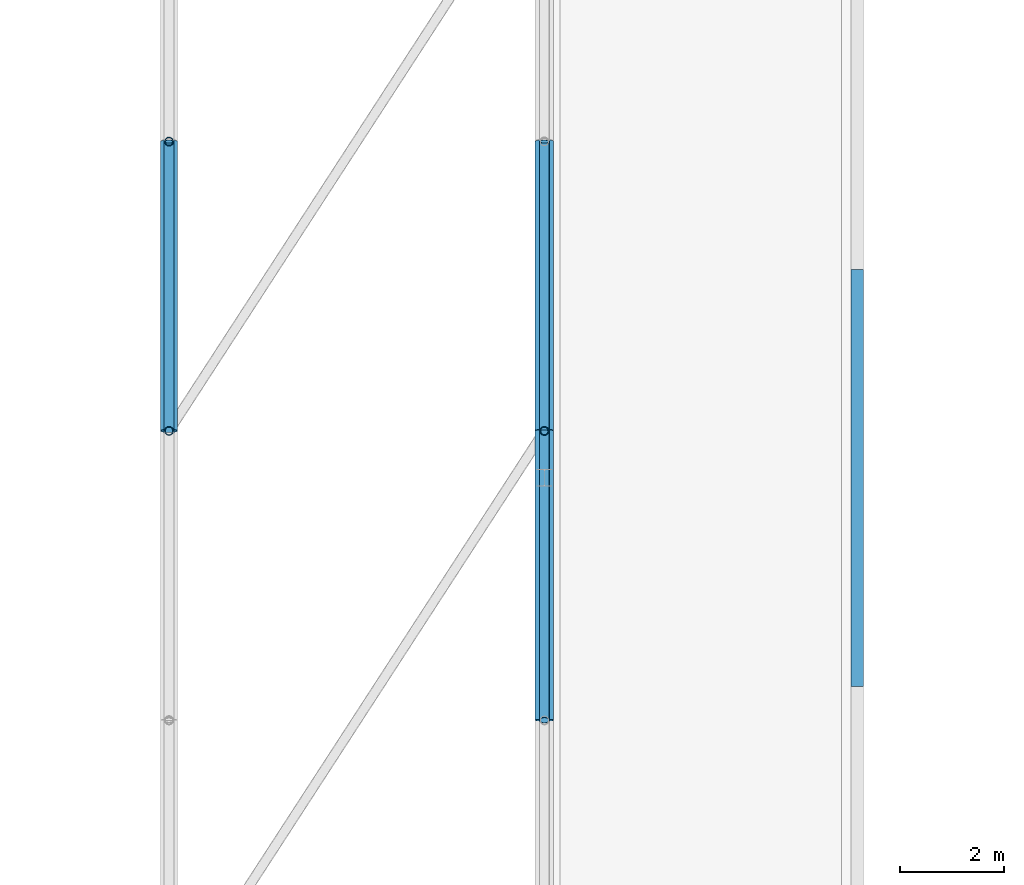
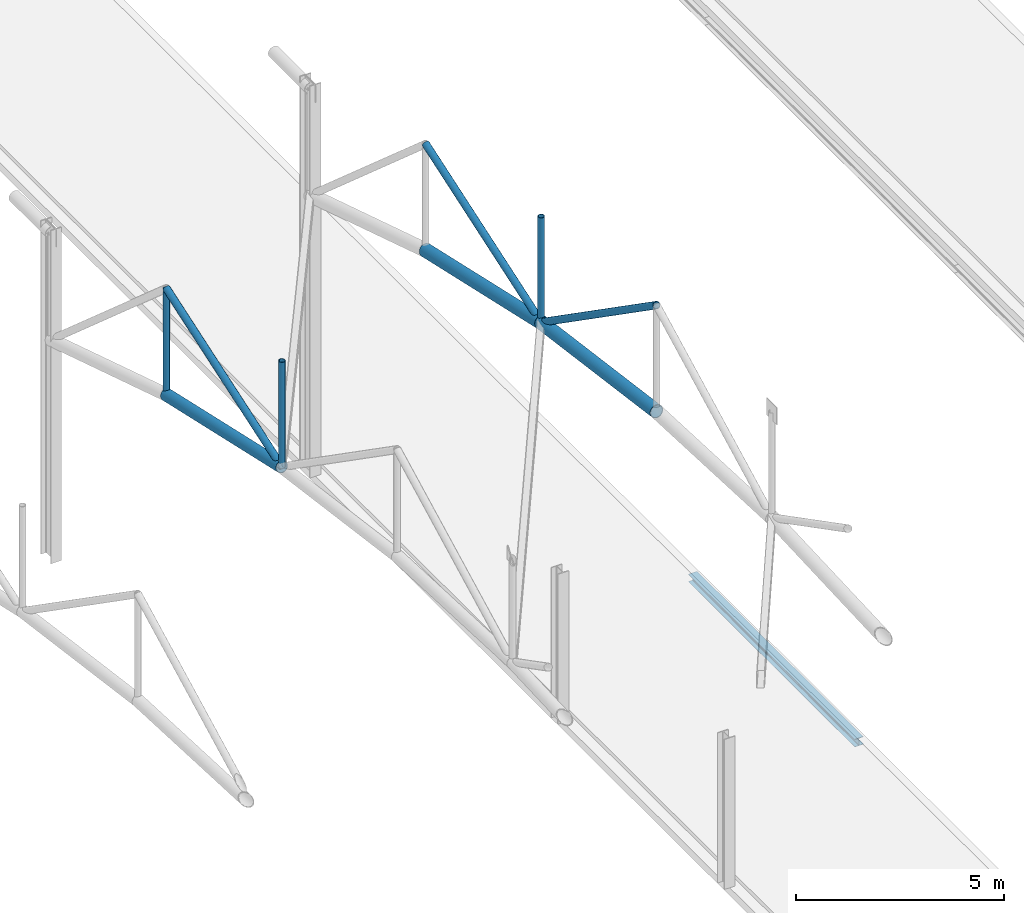
# One storey, part 72 of 153: 9 members, 1 beam.
"""IFC4 building model written with IfcOpenShell, lengths in metres."""

from ifc_helpers import new_model, si_unit, derived_unit, direction, frame, origin, origin_2d, place, context, subcontext, project, spatial, hollow_circle, i_section, extrude, material, material_profile, profile_set, type_object, element, save


model = new_model("IFC4")

# Units and contexts
model_context = context("Model", 3, precision=1e-05, world=origin(), true_north=direction((0.0, 1.0)))
body_context = subcontext(model_context, "Body", "Model", "MODEL_VIEW")
ifc_project = project(units=[si_unit("LENGTHUNIT", "METRE"), si_unit("AREAUNIT", "SQUARE_METRE"), si_unit("VOLUMEUNIT", "CUBIC_METRE"), si_unit("PLANEANGLEUNIT", "RADIAN"), si_unit("MASSUNIT", "GRAM", prefix="KILO"), derived_unit("THERMALTRANSMITTANCEUNIT", [(si_unit("POWERUNIT", "WATT"), 1), (si_unit("LENGTHUNIT", "METRE"), -2), (si_unit("THERMODYNAMICTEMPERATUREUNIT", "KELVIN"), -1)])], contexts=[model_context])

# Site, building, storey
site_placement = place(None, origin())
site = spatial("IfcSite", under=ifc_project, at=site_placement, CompositionType="ELEMENT")
building_placement = place(site_placement, origin())
building = spatial("IfcBuilding", under=site, at=building_placement, Name="Keldorne Ridge Multi-Sports Centre", CompositionType="ELEMENT")
storey_placement = place(building_placement, frame((0.0, 0.0, 9.60009765625)))
storey = spatial("IfcBuildingStorey", under=building, at=storey_placement, Name="L02", CompositionType="ELEMENT", Elevation=9.60009765625)

# Beam
ifc_material = material(Name="Steel S355", Category="steel")
ifc_material_profile_1 = material_profile(ifc_material, i_section(OverallWidth=0.239990234375, OverallDepth=0.22998046875, WebThickness=0.007568359375, FlangeThickness=0.011962890625, FilletRadius=0.02099609375, at=origin_2d()), Name="HEA 240")
ifc_profile_set_1 = profile_set([ifc_material_profile_1], Name="Steel S355")
beam_type = type_object("IfcBeamType", Name="BM-SP-05", PredefinedType="SPANDREL", material=ifc_profile_set_1)
beam_placement = place(storey_placement, frame((84.0, 38.0, -0.34521484375), z_axis=(0.0, 1.0, 0.0), x_axis=(-1.0, 0.0, 0.0)))
element("IfcBeam", 1, at=beam_placement, inside=storey, type_object=beam_type, Name="L02 passage roof beam G12.5", PredefinedType="SPANDREL", context=body_context, shape_type="SweptSolid", body=[
    extrude(i_section(OverallWidth=0.239990234375, OverallDepth=0.22998046875, WebThickness=0.007568359375, FlangeThickness=0.011962890625, FilletRadius=0.02099609375, at=origin_2d()), origin(), (0.0, 0.0, 1.0), 8.0),
])

# Members
ifc_material_profile_2 = material_profile(ifc_material, hollow_circle(Radius=0.177734375, WallThickness=0.01611328125, at=origin_2d()), Name="CHS 355.6x16")
ifc_profile_set_2 = profile_set([ifc_material_profile_2], Name="Steel S355")
member_type_1 = type_object("IfcMemberType", Name="MEM-TC-01", PredefinedType="CHORD", material=ifc_profile_set_2)
member_1_placement = place(storey_placement, frame((78.0, 37.35009765625, 11.849853515625), z_axis=(0.0, 0.990991804939, -0.133922524405), x_axis=(-1.0, 0.0, 0.0)))
element("IfcMember", 2, at=member_1_placement, inside=storey, type_object=member_type_1, Name="Main Hall ROOF TRUSS AT-11 bottom chord 6", PredefinedType="CHORD", context=body_context, shape_type="SweptSolid", body=[
    extrude(hollow_circle(Radius=0.177734375, WallThickness=0.01611328125, at=origin_2d()), origin(), (0.0, 0.0, 1.0), 5.600341796875),
])
member_2_placement = place(storey_placement, frame((78.0, 42.89990234375, 11.099853515625), z_axis=(0.0, 0.975563092904, -0.219719484259), x_axis=(-1.0, 0.0, 0.0)))
element("IfcMember", 3, at=member_2_placement, inside=storey, type_object=member_type_1, Name="Main Hall ROOF TRUSS AT-11 bottom chord 7", PredefinedType="CHORD", context=body_context, shape_type="SweptSolid", body=[
    extrude(hollow_circle(Radius=0.177734375, WallThickness=0.01611328125, at=origin_2d()), origin(), (0.0, 0.0, 1.0), 5.68896484375),
])
ifc_material_profile_3 = material_profile(ifc_material, hollow_circle(Radius=0.161865234375, WallThickness=0.01611328125, at=origin_2d()), Name="CHS 323.9x16")
ifc_profile_set_3 = profile_set([ifc_material_profile_3], Name="Steel S355")
member_type_2 = type_object("IfcMemberType", Name="MEM-TC-02", PredefinedType="CHORD", material=ifc_profile_set_3)
member_3_placement = place(storey_placement, frame((70.800048828125, 42.89990234375, 9.3798828125), z_axis=(0.0, 0.975563092904, -0.219719484259), x_axis=(-1.0, 0.0, 0.0)))
element("IfcMember", 4, at=member_3_placement, inside=storey, type_object=member_type_2, Name="Main Hall ROOF TRUSS AT-10 bottom chord 7", PredefinedType="CHORD", context=body_context, shape_type="SweptSolid", body=[
    extrude(hollow_circle(Radius=0.161865234375, WallThickness=0.01611328125, at=origin_2d()), origin(), (0.0, 0.0, 1.0), 5.68896484375),
])
ifc_material_profile_4 = material_profile(ifc_material, hollow_circle(Radius=0.096923828125, WallThickness=0.010009765625, at=origin_2d()), Name="CHS 193.7x10")
ifc_profile_set_4 = profile_set([ifc_material_profile_4], Name="Steel S355")
member_type_3 = type_object("IfcMemberType", Name="MEM-TD-01", PredefinedType="BRACE", material=ifc_profile_set_4)
member_4_placement = place(storey_placement, frame((70.800048828125, 42.89990234375, 9.3798828125), z_axis=(0.0, 0.94764862416, 0.319315024901), x_axis=(-1.0, 0.0, 0.0)))
element("IfcMember", 5, at=member_4_placement, inside=storey, type_object=member_type_3, Name="Main Hall ROOF TRUSS AT-10 diagonal 7", PredefinedType="BRACE", context=body_context, shape_type="SweptSolid", body=[
    extrude(hollow_circle(Radius=0.096923828125, WallThickness=0.010009765625, at=origin_2d()), origin(), (0.0, 0.0, 1.0), 5.856689453125),
])
member_5_placement = place(storey_placement, frame((78.0, 37.35009765625, 14.969970703125), z_axis=(0.0, 0.820254519762, -0.571998708748), x_axis=(-1.0, 0.0, 0.0)))
element("IfcMember", 6, at=member_5_placement, inside=storey, type_object=member_type_3, Name="Main Hall ROOF TRUSS AT-11 diagonal 6", PredefinedType="BRACE", context=body_context, shape_type="SweptSolid", body=[
    extrude(hollow_circle(Radius=0.096923828125, WallThickness=0.010009765625, at=origin_2d()), origin(), (0.0, 0.0, 1.0), 6.765869140625),
])
member_6_placement = place(storey_placement, frame((78.0, 42.89990234375, 11.099853515625), z_axis=(0.0, 0.94764862416, 0.319315024901), x_axis=(-1.0, 0.0, 0.0)))
element("IfcMember", 7, at=member_6_placement, inside=storey, type_object=member_type_3, Name="Main Hall ROOF TRUSS AT-11 diagonal 7", PredefinedType="BRACE", context=body_context, shape_type="SweptSolid", body=[
    extrude(hollow_circle(Radius=0.096923828125, WallThickness=0.010009765625, at=origin_2d()), origin(), (0.0, 0.0, 1.0), 5.856689453125),
])
ifc_material_profile_5 = material_profile(ifc_material, hollow_circle(Radius=0.084228515625, WallThickness=0.010009765625, at=origin_2d()), Name="CHS 168.3x10")
ifc_profile_set_5 = profile_set([ifc_material_profile_5], Name="Steel S355")
member_type_4 = type_object("IfcMemberType", Name="MEM-TV-01", PredefinedType="STRUT", material=ifc_profile_set_5)
for number, where, z_axis, x_axis, name in (
    (8, (70.800048828125, 42.89990234375, 9.3798828125), (0.0, 0.0, 1.0), (1.0, 0.0, 0.0), "Main Hall ROOF TRUSS AT-10 vertical 7"),
    (9, (70.800048828125, 48.449951171875, 8.1298828125), (0.0, 0.0, 1.0), (1.0, 0.0, 0.0), "Main Hall ROOF TRUSS AT-10 vertical 8"),
    (10, (78.0, 42.89990234375, 11.099853515625), (0.0, 0.0, 1.0), (1.0, 0.0, 0.0), "Main Hall ROOF TRUSS AT-11 vertical 7"),
):
    element("IfcMember", number, at=place(storey_placement, frame(where, z_axis=z_axis, x_axis=x_axis)), inside=storey, type_object=member_type_4, Name=name, PredefinedType="STRUT", context=body_context, shape_type="SweptSolid", body=[
        extrude(hollow_circle(Radius=0.084228515625, WallThickness=0.010009765625, at=origin_2d()), origin(), (0.0, 0.0, 1.0), 3.1201171875),
    ])

save(model, "model.ifc")
